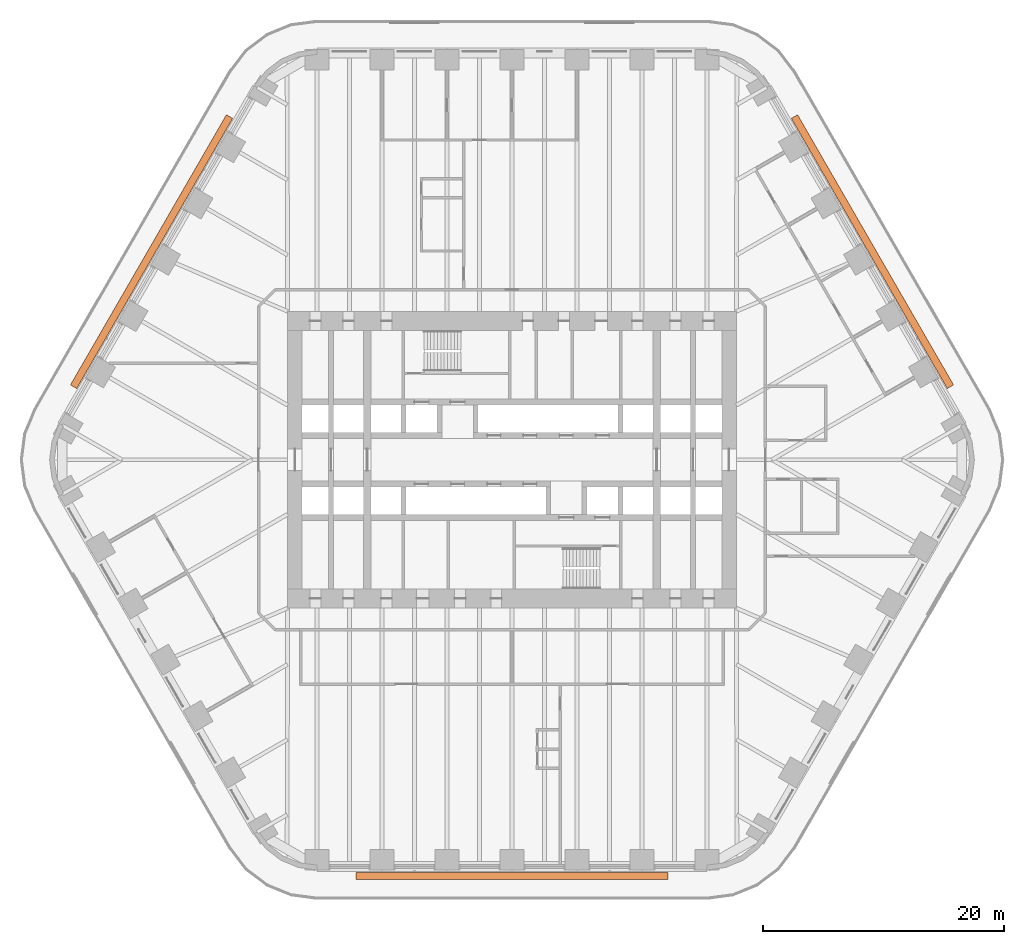
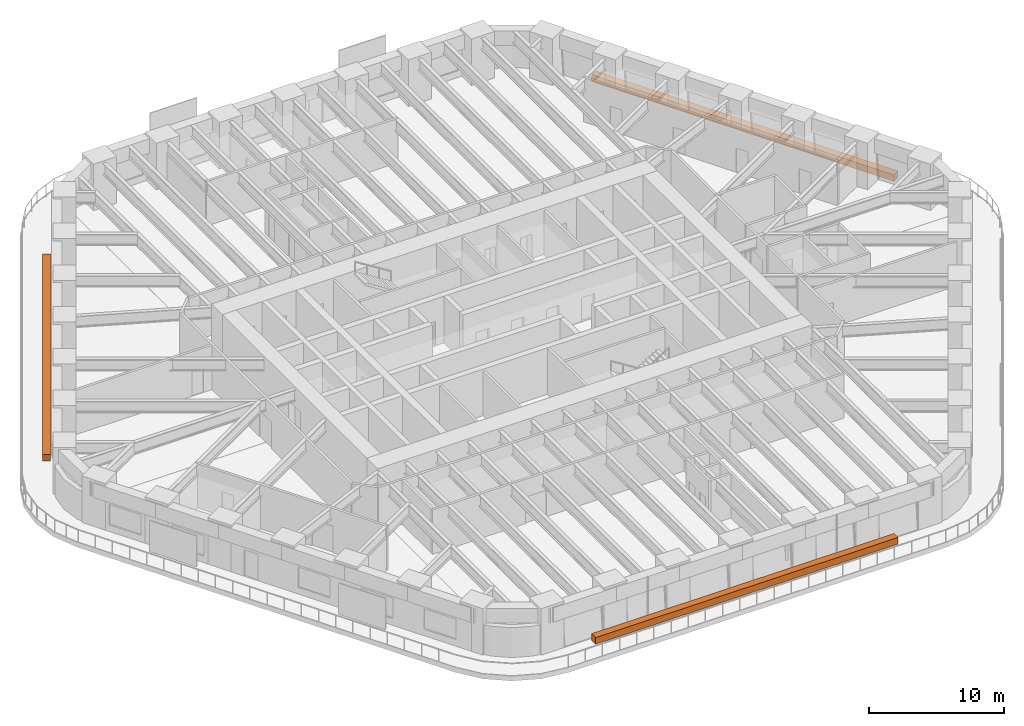
# One storey, part 24 of 24: 3 proxies.
"""IFC4 building model written with IfcOpenShell, lengths in metres."""

from ifc_helpers import new_model, si_unit, direction, frame, origin, origin_2d, place, context, subcontext, project, spatial, rectangle, extrude, material, element, save


model = new_model("IFC4")

# Units and contexts
model_context = context("Model", 3, precision=1e-05, world=origin(), true_north=direction((0.0, 1.0)))
body_context = subcontext(model_context, "Body", "Model", "MODEL_VIEW")
ifc_project = project(units=[si_unit("LENGTHUNIT", "METRE"), si_unit("AREAUNIT", "SQUARE_METRE"), si_unit("VOLUMEUNIT", "CUBIC_METRE"), si_unit("PLANEANGLEUNIT", "RADIAN"), si_unit("MASSUNIT", "GRAM", prefix="KILO")], contexts=[model_context])

# Site, building, storey
site_placement = place(None, origin())
site = spatial("IfcSite", under=ifc_project, at=site_placement, CompositionType="ELEMENT")
building_placement = place(site_placement, origin())
building = spatial("IfcBuilding", under=site, at=building_placement, Name="Tarfa Lantern Tower", CompositionType="ELEMENT")
storey_placement = place(building_placement, frame((0.0, 0.0, 65.5)))
storey = spatial("IfcBuildingStorey", under=building, at=storey_placement, Name="L14", CompositionType="ELEMENT", Elevation=65.5)

# Proxies
ifc_material = material(Name="Planting bed")
for number, where, z_axis, x_axis, name in (
    (1, (29.8779296875, 17.25, 0.0), (0.0, 0.0, 1.0), (-0.5, 0.866025403784, 0.0), "Balcony planter"),
    (2, (-29.8779296875, 17.25, 0.0), (0.0, 0.0, 1.0), (-0.5, -0.866025403784, 0.0), "Balcony planter"),
    (3, (0.0, -34.5, 0.0), (0.0, 0.0, 1.0), (1.0, 0.0, 0.0), "Balcony planter"),
):
    element("IfcBuildingElementProxy", number, at=place(storey_placement, frame(where, z_axis=z_axis, x_axis=x_axis)), inside=storey, material=ifc_material, Name=name, ObjectType="PLANTER", PredefinedType="USERDEFINED", context=body_context, shape_type="SweptSolid", body=[
        extrude(rectangle(XDim=25.865234375, YDim=0.60009765625, at=origin_2d()), origin(), (0.0, 0.0, 1.0), 0.60009765625),
    ])

save(model, "model.ifc")
